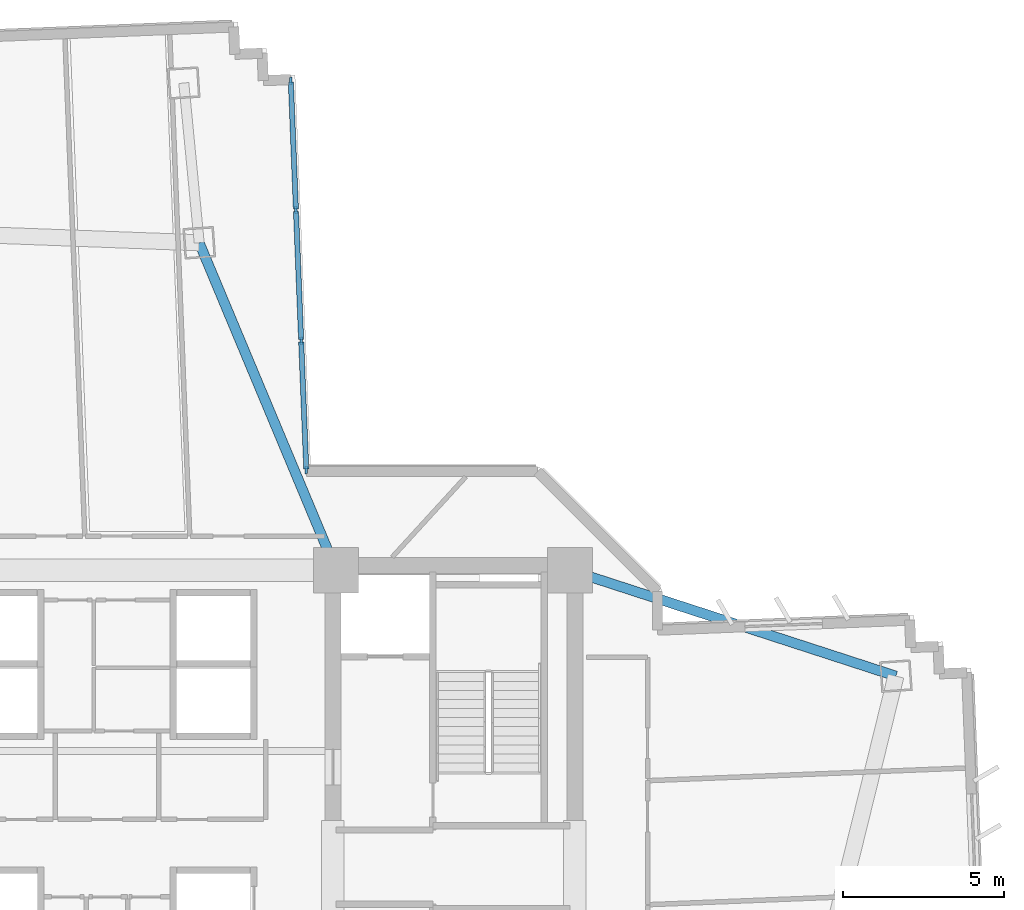
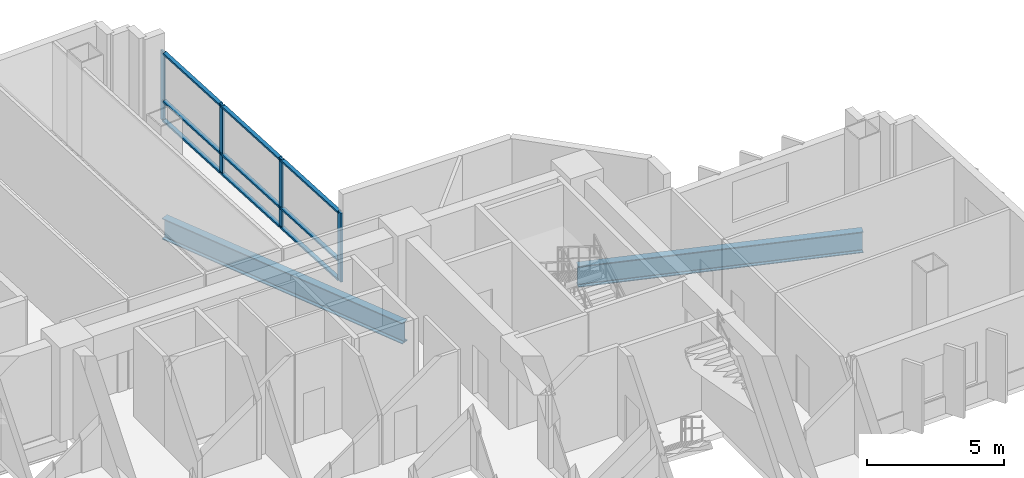
# One storey, part 4 of 16: 13 members, 2 beams, 1 element without a shape of its own.
"""IFC4 building model written with IfcOpenShell, lengths in metres."""

from ifc_helpers import new_model, si_unit, direction, frame, origin, origin_2d, place, context, subcontext, project, spatial, rectangle, i_section, extrude, source, transform, mapped, material, layer, layer_set, material_profile, profile_set, type_object, element, aggregate, save


model = new_model("IFC4")

# Units and contexts
model_context = context("Model", 3, precision=1e-05, world=origin(), true_north=direction((0.0, 1.0)))
body_context = subcontext(model_context, "Body", "Model", "MODEL_VIEW")
ifc_project = project(units=[si_unit("LENGTHUNIT", "METRE"), si_unit("AREAUNIT", "SQUARE_METRE"), si_unit("VOLUMEUNIT", "CUBIC_METRE"), si_unit("PLANEANGLEUNIT", "RADIAN"), si_unit("MASSUNIT", "GRAM", prefix="KILO")], contexts=[model_context])

# Site, building, storey
site_placement = place(None, origin())
site = spatial("IfcSite", under=ifc_project, at=site_placement, CompositionType="ELEMENT")
building_placement = place(site_placement, origin())
building = spatial("IfcBuilding", under=site, at=building_placement, Name="Zahravan Cultural Tower", CompositionType="ELEMENT")
storey_placement = place(building_placement, frame((0.0, 0.0, 54.300048828125)))
storey = spatial("IfcBuildingStorey", under=building, at=storey_placement, Name="L11", CompositionType="ELEMENT", Elevation=54.300048828125)

# Beams
ifc_material_1 = material(Name="Steel ASTM A992 Grade 50", Category="steel")
ifc_material_profile_1 = material_profile(ifc_material_1, i_section(OverallWidth=0.30908203125, OverallDepth=0.931884765625, WebThickness=0.02099609375, FlangeThickness=0.034423828125, FilletRadius=0.02392578125, at=origin_2d()), Name="W36X210")
ifc_profile_set_1 = profile_set([ifc_material_profile_1], Name="Steel ASTM A992 Grade 50")
beam_type = type_object("IfcBeamType", Name="BM-G-W36X210", PredefinedType="BEAM", material=ifc_profile_set_1)
shared_shape_1 = source(origin(), body_context, "Body", "SweptSolid", [
    extrude(i_section(OverallWidth=0.30908203125, OverallDepth=0.931884765625, WebThickness=0.02099609375, FlangeThickness=0.034423828125, FilletRadius=0.02392578125, at=origin_2d()), origin(), (0.0, 0.0, 1.0), 10.615966796875),
])
beam_1_placement = place(storey_placement, frame((50.35009765625, 36.199951171875, -0.716064453125), z_axis=(0.951063640083, -0.30899506875, 0.0), x_axis=(0.30899506875, 0.951063640083, 0.0)))
element("IfcBeam", 1, at=beam_1_placement, inside=storey, type_object=beam_type, Name="L11 Beam BG-L11-11", PredefinedType="BEAM", context=body_context, shape_type="MappedRepresentation", body=[
    mapped(shared_shape_1, transform((0.0, 0.0, 0.0), x_axis=(1.0, 0.0, 0.0), y_axis=(0.0, 1.0, 0.0), z_axis=(0.0, 0.0, 1.0), scale=1.0)),
])
shared_shape_2 = source(origin(), body_context, "Body", "SweptSolid", [
    extrude(i_section(OverallWidth=0.30908203125, OverallDepth=0.931884765625, WebThickness=0.02099609375, FlangeThickness=0.034423828125, FilletRadius=0.02392578125, at=origin_2d()), origin(), (0.0, 0.0, 1.0), 10.997802734375),
])
beam_2_placement = place(storey_placement, frame((43.10009765625, 36.199951171875, -0.716064453125), z_axis=(-0.385775211449, 0.922592806297, 0.0), x_axis=(-0.922592806297, -0.385775211449, 0.0)))
element("IfcBeam", 2, at=beam_2_placement, inside=storey, type_object=beam_type, Name="L11 Beam BG-L11-12", PredefinedType="BEAM", context=body_context, shape_type="MappedRepresentation", body=[
    mapped(shared_shape_2, transform((0.0, 0.0, 0.0), x_axis=(1.0, 0.0, 0.0), y_axis=(0.0, 1.0, 0.0), z_axis=(0.0, 0.0, 1.0), scale=1.0)),
])

# Curtain wall, members
ifc_material_2 = material(Name="Anodised bronze-aluminium mullion", Category="aluminium")
ifc_layer = layer(ifc_material_2, 0.219970703125)
ifc_layer_set = layer_set([ifc_layer], Name="Anodised bronze-aluminium mullion")
curtain_wall_type = type_object("IfcCurtainWallType", Name="CW-SYS-1", PredefinedType="USERDEFINED", material=ifc_layer_set)
curtain_wall_placement = place(storey_placement, origin())
curtain_wall = element("IfcCurtainWall", 3, at=curtain_wall_placement, inside=storey, type_object=curtain_wall_type, Name="L11 Recessed Curtain Wall CW-1.2", ObjectType="RECESSED GLAZING", PredefinedType="USERDEFINED")
ifc_material_profile_2 = material_profile(ifc_material_2, rectangle(XDim=0.080078125, YDim=0.219970703125, at=origin_2d()), Name="AL-M80X220")
ifc_profile_set_2 = profile_set([ifc_material_profile_2], Name="Anodised bronze-aluminium mullion")
member_type_1 = type_object("IfcMemberType", Name="CWM-CW-1", PredefinedType="MULLION", material=ifc_profile_set_2)
shared_shape_3 = source(origin(), body_context, "Body", "SweptSolid", [
    extrude(rectangle(XDim=0.080078125, YDim=0.219970703125, at=origin_2d()), origin(), (0.0, 0.0, 1.0), 3.070068359375),
])
member_1_placement = place(storey_placement, frame((41.6953125, 51.36572265625, 0.0), z_axis=(0.0, 0.0, 1.0), x_axis=(0.99920827504, 0.039784709273, 0.0)))
member_1 = element("IfcMember", 4, at=member_1_placement, type_object=member_type_1, Name="CW-1 mullion 1", PredefinedType="MULLION", context=body_context, shape_type="MappedRepresentation", body=[
    mapped(shared_shape_3, transform((0.0, 0.0, 0.0), x_axis=(1.0, 0.0, 0.0), y_axis=(0.0, 1.0, 0.0), z_axis=(0.0, 0.0, 1.0), scale=1.0)),
])
member_2_placement = place(storey_placement, frame((41.854736328125, 47.357177734375, 0.0), z_axis=(0.0, 0.0, 1.0), x_axis=(0.99920827504, 0.039784709273, 0.0)))
member_2 = element("IfcMember", 5, at=member_2_placement, type_object=member_type_1, Name="CW-1 mullion 2", PredefinedType="MULLION", context=body_context, shape_type="MappedRepresentation", body=[
    mapped(shared_shape_3, transform((0.0, 0.0, 0.0), x_axis=(1.0, 0.0, 0.0), y_axis=(0.0, 1.0, 0.0), z_axis=(0.0, 0.0, 1.0), scale=1.0)),
])
member_3_placement = place(storey_placement, frame((42.01611328125, 43.30859375, 0.0), z_axis=(0.0, 0.0, 1.0), x_axis=(0.99920827504, 0.039784709273, 0.0)))
member_3 = element("IfcMember", 6, at=member_3_placement, type_object=member_type_1, Name="CW-1 mullion 3", PredefinedType="MULLION", context=body_context, shape_type="MappedRepresentation", body=[
    mapped(shared_shape_3, transform((0.0, 0.0, 0.0), x_axis=(1.0, 0.0, 0.0), y_axis=(0.0, 1.0, 0.0), z_axis=(0.0, 0.0, 1.0), scale=1.0)),
])
member_4_placement = place(storey_placement, frame((42.175537109375, 39.300048828125, 0.0), z_axis=(0.0, 0.0, 1.0), x_axis=(0.99920827504, 0.039784709273, 0.0)))
member_4 = element("IfcMember", 7, at=member_4_placement, type_object=member_type_1, Name="CW-1 mullion 4", PredefinedType="MULLION", context=body_context, shape_type="MappedRepresentation", body=[
    mapped(shared_shape_3, transform((0.0, 0.0, 0.0), x_axis=(1.0, 0.0, 0.0), y_axis=(0.0, 1.0, 0.0), z_axis=(0.0, 0.0, 1.0), scale=1.0)),
])
ifc_material_profile_3 = material_profile(ifc_material_2, rectangle(XDim=0.159912109375, YDim=0.080078125, at=origin_2d()), Name="AL-T80X160")
ifc_profile_set_3 = profile_set([ifc_material_profile_3], Name="Anodised bronze-aluminium mullion")
member_type_2 = type_object("IfcMemberType", Name="CWT-CW-1", PredefinedType="USERDEFINED", material=ifc_profile_set_3)
shared_shape_4 = source(origin(), body_context, "Body", "SweptSolid", [
    extrude(rectangle(XDim=0.159912109375, YDim=0.080078125, at=origin_2d()), origin(), (0.0, 0.0, 1.0), 3.931884765625),
])
member_5_placement = place(storey_placement, frame((41.69677734375, 51.325927734375, 0.0400390625), z_axis=(0.039801893216, -0.999207590692, 0.0), x_axis=(0.999207590692, 0.039801893216, 0.0)))
member_5 = element("IfcMember", 8, at=member_5_placement, type_object=member_type_2, Name="CW-1 transom 1.1", ObjectType="TRANSOM", PredefinedType="USERDEFINED", context=body_context, shape_type="MappedRepresentation", body=[
    mapped(shared_shape_4, transform((0.0, 0.0, 0.0), x_axis=(1.0, 0.0, 0.0), y_axis=(0.0, 1.0, 0.0), z_axis=(0.0, 0.0, 1.0), scale=1.0)),
])
member_6_placement = place(storey_placement, frame((41.69677734375, 51.325927734375, 0.89990234375), z_axis=(0.039801893216, -0.999207590692, 0.0), x_axis=(0.999207590692, 0.039801893216, 0.0)))
member_6 = element("IfcMember", 9, at=member_6_placement, type_object=member_type_2, Name="CW-1 transom 1.2", ObjectType="TRANSOM", PredefinedType="USERDEFINED", context=body_context, shape_type="MappedRepresentation", body=[
    mapped(shared_shape_4, transform((0.0, 0.0, 0.0), x_axis=(1.0, 0.0, 0.0), y_axis=(0.0, 1.0, 0.0), z_axis=(0.0, 0.0, 1.0), scale=1.0)),
])
member_7_placement = place(storey_placement, frame((41.69677734375, 51.325927734375, 3.030029296875), z_axis=(0.039801893216, -0.999207590692, 0.0), x_axis=(0.999207590692, 0.039801893216, 0.0)))
member_7 = element("IfcMember", 10, at=member_7_placement, type_object=member_type_2, Name="CW-1 transom 1.3", ObjectType="TRANSOM", PredefinedType="USERDEFINED", context=body_context, shape_type="MappedRepresentation", body=[
    mapped(shared_shape_4, transform((0.0, 0.0, 0.0), x_axis=(1.0, 0.0, 0.0), y_axis=(0.0, 1.0, 0.0), z_axis=(0.0, 0.0, 1.0), scale=1.0)),
])
member_8_placement = place(storey_placement, frame((42.017578125, 43.2685546875, 0.0400390625), z_axis=(0.039801893216, -0.999207590692, 0.0), x_axis=(0.999207590692, 0.039801893216, 0.0)))
member_8 = element("IfcMember", 11, at=member_8_placement, type_object=member_type_2, Name="CW-1 transom 3.1", ObjectType="TRANSOM", PredefinedType="USERDEFINED", context=body_context, shape_type="MappedRepresentation", body=[
    mapped(shared_shape_4, transform((0.0, 0.0, 0.0), x_axis=(1.0, 0.0, 0.0), y_axis=(0.0, 1.0, 0.0), z_axis=(0.0, 0.0, 1.0), scale=1.0)),
])
member_9_placement = place(storey_placement, frame((42.017578125, 43.2685546875, 0.89990234375), z_axis=(0.039801893216, -0.999207590692, 0.0), x_axis=(0.999207590692, 0.039801893216, 0.0)))
member_9 = element("IfcMember", 12, at=member_9_placement, type_object=member_type_2, Name="CW-1 transom 3.2", ObjectType="TRANSOM", PredefinedType="USERDEFINED", context=body_context, shape_type="MappedRepresentation", body=[
    mapped(shared_shape_4, transform((0.0, 0.0, 0.0), x_axis=(1.0, 0.0, 0.0), y_axis=(0.0, 1.0, 0.0), z_axis=(0.0, 0.0, 1.0), scale=1.0)),
])
member_10_placement = place(storey_placement, frame((42.017578125, 43.2685546875, 3.030029296875), z_axis=(0.039801893216, -0.999207590692, 0.0), x_axis=(0.999207590692, 0.039801893216, 0.0)))
member_10 = element("IfcMember", 13, at=member_10_placement, type_object=member_type_2, Name="CW-1 transom 3.3", ObjectType="TRANSOM", PredefinedType="USERDEFINED", context=body_context, shape_type="MappedRepresentation", body=[
    mapped(shared_shape_4, transform((0.0, 0.0, 0.0), x_axis=(1.0, 0.0, 0.0), y_axis=(0.0, 1.0, 0.0), z_axis=(0.0, 0.0, 1.0), scale=1.0)),
])
shared_shape_5 = source(origin(), body_context, "Body", "SweptSolid", [
    extrude(rectangle(XDim=0.159912109375, YDim=0.080078125, at=origin_2d()), origin(), (0.0, 0.0, 1.0), 3.9716796875),
])
member_11_placement = place(storey_placement, frame((41.8564453125, 47.317138671875, 0.0400390625), z_axis=(0.03977164506, -0.999208795122, 0.0), x_axis=(0.999208795122, 0.03977164506, 0.0)))
member_11 = element("IfcMember", 14, at=member_11_placement, type_object=member_type_2, Name="CW-1 transom 2.1", ObjectType="TRANSOM", PredefinedType="USERDEFINED", context=body_context, shape_type="MappedRepresentation", body=[
    mapped(shared_shape_5, transform((0.0, 0.0, 0.0), x_axis=(1.0, 0.0, 0.0), y_axis=(0.0, 1.0, 0.0), z_axis=(0.0, 0.0, 1.0), scale=1.0)),
])
member_12_placement = place(storey_placement, frame((41.8564453125, 47.317138671875, 0.89990234375), z_axis=(0.03977164506, -0.999208795122, 0.0), x_axis=(0.999208795122, 0.03977164506, 0.0)))
member_12 = element("IfcMember", 15, at=member_12_placement, type_object=member_type_2, Name="CW-1 transom 2.2", ObjectType="TRANSOM", PredefinedType="USERDEFINED", context=body_context, shape_type="MappedRepresentation", body=[
    mapped(shared_shape_5, transform((0.0, 0.0, 0.0), x_axis=(1.0, 0.0, 0.0), y_axis=(0.0, 1.0, 0.0), z_axis=(0.0, 0.0, 1.0), scale=1.0)),
])
member_13_placement = place(storey_placement, frame((41.8564453125, 47.317138671875, 3.030029296875), z_axis=(0.03977164506, -0.999208795122, 0.0), x_axis=(0.999208795122, 0.03977164506, 0.0)))
member_13 = element("IfcMember", 16, at=member_13_placement, type_object=member_type_2, Name="CW-1 transom 2.3", ObjectType="TRANSOM", PredefinedType="USERDEFINED", context=body_context, shape_type="MappedRepresentation", body=[
    mapped(shared_shape_5, transform((0.0, 0.0, 0.0), x_axis=(1.0, 0.0, 0.0), y_axis=(0.0, 1.0, 0.0), z_axis=(0.0, 0.0, 1.0), scale=1.0)),
])
aggregate(curtain_wall, [member_1, member_2, member_3, member_4, member_5, member_6, member_7, member_11, member_12, member_13, member_8, member_9, member_10])

save(model, "model.ifc")
